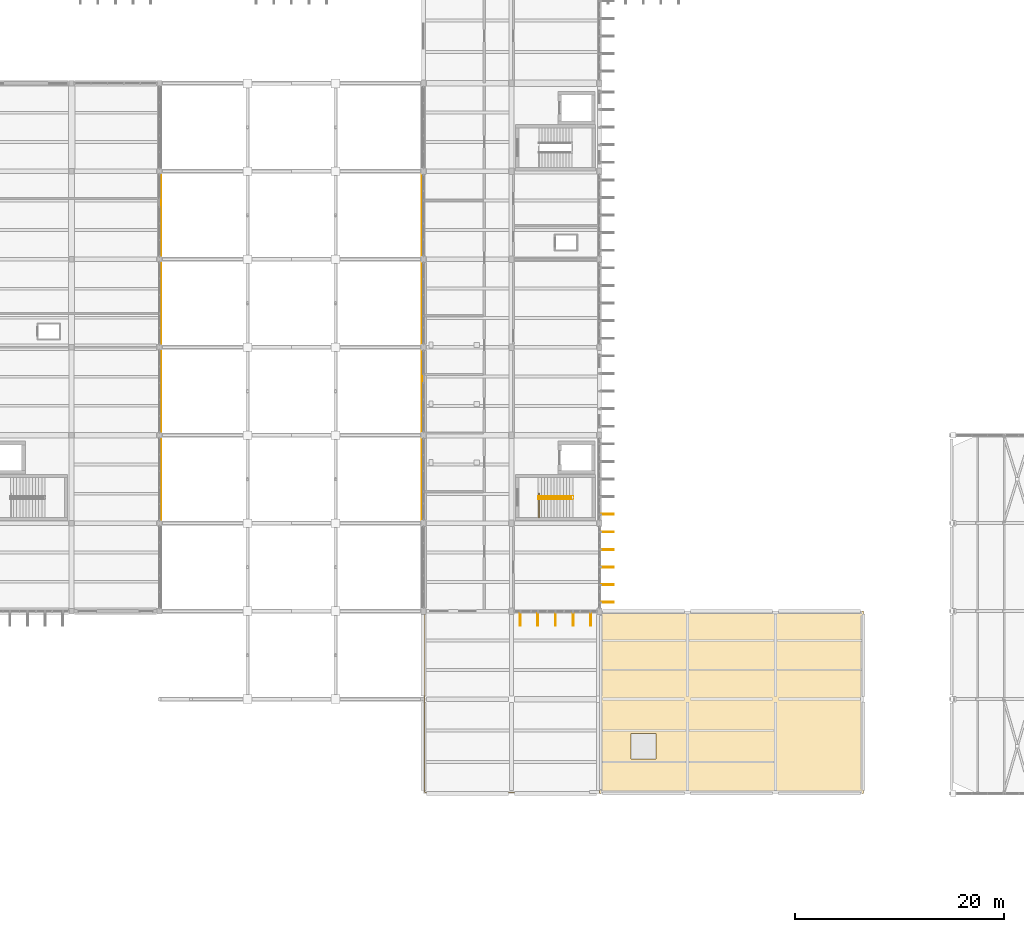
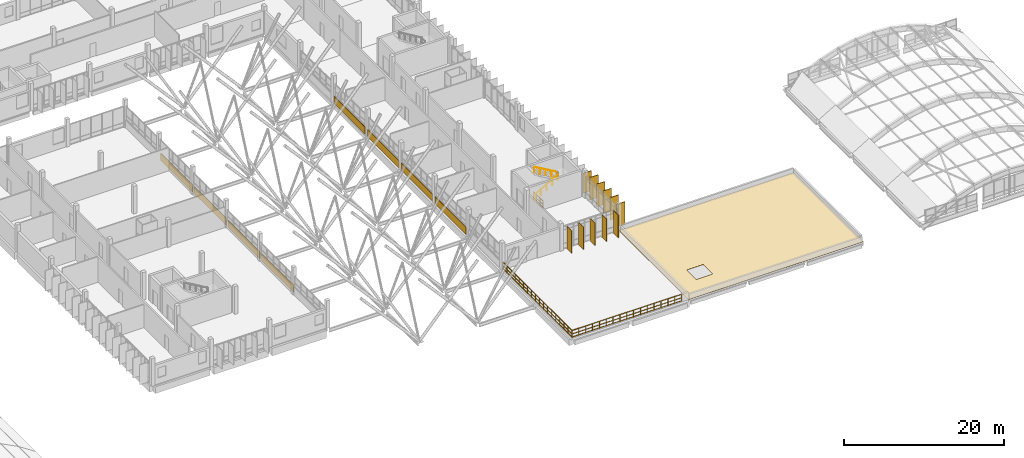
# One storey, part 104 of 107: 11 shading devices, 9 coverings, 4 railings.
"""IFC4 building model written with IfcOpenShell, lengths in metres."""

import ifcopenshell
import ifcopenshell.guid

model = None  # the IFC model being written
_history = None  # IfcOwnerHistory: only IFC2X3 demands one
_inside = {}  # id of a spatial element -> (the spatial element, [elements in it])
_under = {}  # id of a project, library or spatial element -> (it, [spatial elements below it])
_declared = {}  # id of a project -> (the project, [libraries it declares])
_typed = {}  # id of a type object -> (the type object, [elements of that type])
_made_of = {}  # id of a material, layer set ... -> (it, [elements and type objects made of it])


def new_model(schema):
    """Start an empty IFC model of exactly this schema.

    Asked for "IFC4X3", IfcOpenShell would pick the latest addendum, in which some entities
    have other attributes; the version numbers below select the first issue.
    IFC2X3 requires an IfcOwnerHistory on every rooted entity: one is made here for all.
    """
    global model, _history
    if schema == "IFC4X3":
        model = ifcopenshell.file(schema_version=(4, 3, 0, 0))
    else:
        model = ifcopenshell.file(schema=schema)
    _inside.clear()
    _under.clear()
    _declared.clear()
    _typed.clear()
    _made_of.clear()
    _history = None
    if model.schema == "IFC2X3":
        org = make("IfcOrganization", Name="unknown")
        user = make(
            "IfcPersonAndOrganization",
            ThePerson=make("IfcPerson", FamilyName="unknown"),
            TheOrganization=org,
        )
        app = make(
            "IfcApplication",
            ApplicationDeveloper=org,
            Version="unknown",
            ApplicationFullName="unknown",
            ApplicationIdentifier="unknown",
        )
        _history = make(
            "IfcOwnerHistory",
            OwningUser=user,
            OwningApplication=app,
            ChangeAction="ADDED",
            CreationDate=0,
        )
    return model


def make(cls, **values):
    """One entity of the class cls with the attributes given. An attribute that is None is left unset."""
    return model.create_entity(
        cls, **{name: value for name, value in values.items() if value is not None}
    )


def rooted(cls, **values):
    """An entity with a GlobalId (a new one), such as an element, a storey or a relation."""
    return make(cls, GlobalId=ifcopenshell.guid.new(), OwnerHistory=_history, **values)


def si_unit(unit_type, name, prefix=None):
    """IfcSIUnit, for example si_unit("LENGTHUNIT", "METRE", prefix="MILLI")."""
    return make("IfcSIUnit", UnitType=unit_type, Prefix=prefix, Name=name)


def assignment(units):
    """IfcUnitAssignment: the units of a project."""
    return None if units is None else make("IfcUnitAssignment", Units=units)


def point(xyz):
    """IfcCartesianPoint."""
    return None if xyz is None else make("IfcCartesianPoint", Coordinates=xyz)


def direction(xyz):
    """IfcDirection."""
    return None if xyz is None else make("IfcDirection", DirectionRatios=xyz)


def frame(location, z_axis=None, x_axis=None):
    """IfcAxis2Placement3D, a coordinate frame: its origin and axes. An axis left out is left unset."""
    return make(
        "IfcAxis2Placement3D",
        Location=point(location),
        Axis=direction(z_axis),
        RefDirection=direction(x_axis),
    )


def frame_2d(location, x_axis=None):
    """IfcAxis2Placement2D, a coordinate frame in the plane: its origin and x axis."""
    return make(
        "IfcAxis2Placement2D", Location=point(location), RefDirection=direction(x_axis)
    )


def origin():
    """The frame at (0, 0, 0) with its axes left unset."""
    return frame((0.0, 0.0, 0.0))


def origin_2d():
    """The frame at (0, 0) in the plane with its x axis left unset."""
    return frame_2d((0.0, 0.0))


def place(relative_to, where):
    """IfcLocalPlacement: puts the frame where relative to a parent placement (None: the world)."""
    return make(
        "IfcLocalPlacement", PlacementRelTo=relative_to, RelativePlacement=where
    )


def context(
    kind, dimensions, precision=None, world=None, true_north=None, identifier=None
):
    """IfcGeometricRepresentationContext, for example the 3D "Model" context."""
    return make(
        "IfcGeometricRepresentationContext",
        ContextIdentifier=identifier,
        ContextType=kind,
        CoordinateSpaceDimension=dimensions,
        Precision=precision,
        WorldCoordinateSystem=world,
        TrueNorth=true_north,
    )


def subcontext(parent, identifier, kind, view, scale=None):
    """IfcGeometricRepresentationSubContext, for example "Body" below "Model"."""
    return make(
        "IfcGeometricRepresentationSubContext",
        ContextIdentifier=identifier,
        ContextType=kind,
        ParentContext=parent,
        TargetScale=scale,
        TargetView=view,
    )


def project(units=None, contexts=None):
    """IfcProject with its units and contexts."""
    return rooted(
        "IfcProject",
        Name="project",
        RepresentationContexts=contexts,
        UnitsInContext=assignment(units),
    )


def spatial(cls, under=None, at=None, **own):
    """A site, building, storey or space (cls), placed at a placement, below another one or the project."""
    s = rooted(cls, ObjectPlacement=at, **own)
    if under is not None:
        _under.setdefault(under.id(), (under, []))[1].append(s)
    return s


def polyline(points):
    """IfcPolyline through the points."""
    return make("IfcPolyline", Points=[point(p) for p in points])


def profile(cls, at=None, kind="AREA", **sizes):
    """A parametric profile (cls). Its sizes go by their IFC names, for example OverallWidth=200.0."""
    return make(cls, ProfileType=kind, Position=at, **sizes)


def rectangle(**sizes):
    """IfcRectangleProfileDef."""
    return profile("IfcRectangleProfileDef", **sizes)


def circle(**sizes):
    """IfcCircleProfileDef."""
    return profile("IfcCircleProfileDef", **sizes)


def outline(outer, holes=None, kind="AREA"):
    """IfcArbitraryClosedProfileDef: a profile drawn as a closed curve; with holes, ...WithVoids."""
    if holes is None:
        return make("IfcArbitraryClosedProfileDef", ProfileType=kind, OuterCurve=outer)
    return make(
        "IfcArbitraryProfileDefWithVoids",
        ProfileType=kind,
        OuterCurve=outer,
        InnerCurves=holes,
    )


def extrude(swept, where, along, depth):
    """IfcExtrudedAreaSolid: the profile swept, set in the frame where, extruded along a direction by depth."""
    return make(
        "IfcExtrudedAreaSolid",
        SweptArea=swept,
        Position=where,
        ExtrudedDirection=direction(along),
        Depth=depth,
    )


def shape(context_of_items, identifier, shape_type, items):
    """IfcShapeRepresentation: the items that make up one representation, for example the "Body"."""
    return make(
        "IfcShapeRepresentation",
        ContextOfItems=context_of_items,
        RepresentationIdentifier=identifier,
        RepresentationType=shape_type,
        Items=items,
    )


def material(Name=None, Category=None):
    """IfcMaterial."""
    return make("IfcMaterial", Name=Name, Category=Category)


def layer(
    of_material, thickness, ventilated=None, Name=None, Category=None, Priority=None
):
    """IfcMaterialLayer: one layer of a wall or slab, of a material (None: an air gap)."""
    return make(
        "IfcMaterialLayer",
        Material=of_material,
        LayerThickness=thickness,
        IsVentilated=ventilated,
        Name=Name,
        Category=Category,
        Priority=Priority,
    )


def layer_set(layers, Name=None):
    """IfcMaterialLayerSet."""
    return make("IfcMaterialLayerSet", MaterialLayers=layers, LayerSetName=Name)


def material_profile(
    of_material, cross_section, Name=None, Category=None, Priority=None
):
    """IfcMaterialProfile: a cross section and its material."""
    return make(
        "IfcMaterialProfile",
        Name=Name,
        Material=of_material,
        Profile=cross_section,
        Priority=Priority,
        Category=Category,
    )


def profile_set(profiles, Name=None, composite=None):
    """IfcMaterialProfileSet."""
    return make(
        "IfcMaterialProfileSet",
        Name=Name,
        MaterialProfiles=profiles,
        CompositeProfile=composite,
    )


def made_of(thing, what):
    """Note that an element or type object is made of a material, layer set ...; save() writes the relation."""
    if what is not None:
        _made_of.setdefault(what.id(), (what, []))[1].append(thing)
    return thing


def type_object(cls, material=None, **own):
    """A type object (cls), such as IfcWallType, which elements share."""
    return made_of(rooted(cls, **own), material)


def element(
    cls,
    number,
    at=None,
    inside=None,
    cuts=None,
    type_object=None,
    material=None,
    context=None,
    identifier="Body",
    shape_type=None,
    held_by="IfcProductDefinitionShape",
    body=None,
    shapes=None,
    **own,
):
    """One element of the class cls, such as IfcWall. Its Tag is "e" and its number.

    at: its placement. inside: the storey or other place that contains it. cuts: it is an
    opening in that element (IfcRelVoidsElement). A single representation is given by context,
    identifier, shape_type and body (its items); several are given by shapes. held_by: the class
    of the entity that holds the representations. save() writes the other relations.
    """
    e = rooted(cls, Tag="e%d" % number, ObjectPlacement=at, **own)
    if body is not None:
        shapes = [shape(context, identifier, shape_type, body)]
    if shapes is not None:
        e.Representation = make(held_by, Representations=shapes)
    if inside is not None:
        _inside.setdefault(inside.id(), (inside, []))[1].append(e)
    if cuts is not None:
        rooted(
            "IfcRelVoidsElement", RelatingBuildingElement=cuts, RelatedOpeningElement=e
        )
    if type_object is not None:
        _typed.setdefault(type_object.id(), (type_object, []))[1].append(e)
    return made_of(e, material)


def aggregate(whole, parts):
    """IfcRelAggregates: a whole, such as a stair, and the parts it consists of."""
    return rooted("IfcRelAggregates", RelatingObject=whole, RelatedObjects=parts)


def save(model, path):
    """Write the relations noted so far, then the file.

    IfcRelAggregates (storeys below a building ...), IfcRelContainedInSpatialStructure (elements
    in a storey), IfcRelDefinesByType, IfcRelAssociatesMaterial and IfcRelDeclares: one each for
    every whole, place, type object, material and project.
    """
    for whole, parts in _under.values():
        aggregate(whole, parts)
    for where, things in _inside.values():
        rooted(
            "IfcRelContainedInSpatialStructure",
            RelatedElements=things,
            RelatingStructure=where,
        )
    for kind, things in _typed.values():
        rooted("IfcRelDefinesByType", RelatedObjects=things, RelatingType=kind)
    for what, things in _made_of.values():
        rooted("IfcRelAssociatesMaterial", RelatedObjects=things, RelatingMaterial=what)
    for by, libraries in _declared.values():
        rooted("IfcRelDeclares", RelatingContext=by, RelatedDefinitions=libraries)
    model.write(path)


model = new_model("IFC4")

# Units and contexts
model_context = context("Model", 3, precision=1e-05, world=origin(), true_north=direction((0.0, 1.0)))
body_context = subcontext(model_context, "Body", "Model", "MODEL_VIEW")
ifc_project = project(units=[si_unit("LENGTHUNIT", "METRE"), si_unit("AREAUNIT", "SQUARE_METRE"), si_unit("VOLUMEUNIT", "CUBIC_METRE"), si_unit("PLANEANGLEUNIT", "RADIAN"), si_unit("MASSUNIT", "GRAM", prefix="KILO")], contexts=[model_context])

# Site, building, storey
site_placement = place(None, origin())
site = spatial("IfcSite", under=ifc_project, at=site_placement, CompositionType="ELEMENT")
building_placement = place(site_placement, origin())
building = spatial("IfcBuilding", under=site, at=building_placement, Name="Vireocrest Preparatory School", CompositionType="ELEMENT")
storey_placement = place(building_placement, frame((0.0, 0.0, 13.199951171875)))
storey = spatial("IfcBuildingStorey", under=building, at=storey_placement, Name="L03", CompositionType="ELEMENT", Elevation=13.199951171875)

# Railings
ifc_material_1 = material(Name="Brushed stainless steel AISI 316", Category="steel")
railing_type_1 = type_object("IfcRailingType", Name="Post-and-Rail Guard Balustrade 1120", PredefinedType="BALUSTRADE", material=ifc_material_1)
railing_1_placement = place(storey_placement, frame((92.47998046875, 35.320068359375, 0.0)))
element("IfcRailing", 1, at=railing_1_placement, inside=storey, type_object=railing_type_1, Name="Terrace and Deck Guard Balustrade GR1 L03 SCI_L03_TERR", PredefinedType="BALUSTRADE", context=body_context, shape_type="SweptSolid", body=[
    extrude(circle(Radius=0.02392578125, at=origin_2d()), frame((0.0, 0.0, 1.09619140625), z_axis=(0.0, -1.0, 0.0), x_axis=(1.0, 0.0, 0.0)), (0.0, 0.0, 1.0), 17.190185546875),
    extrude(circle(Radius=0.01806640625, at=origin_2d()), frame((0.0, 0.0, 0.56005859375), z_axis=(0.0, -1.0, 0.0), x_axis=(1.0, 0.0, 0.0)), (0.0, 0.0, 1.0), 17.190185546875),
    extrude(circle(Radius=0.01806640625, at=origin_2d()), frame((0.0, 0.0, 0.10009765625), z_axis=(0.0, -1.0, 0.0), x_axis=(1.0, 0.0, 0.0)), (0.0, 0.0, 1.0), 17.190185546875),
    extrude(circle(Radius=0.02392578125, at=origin_2d()), frame((0.0, -17.190185546875, 1.09619140625), z_axis=(1.0, 0.0, 0.0), x_axis=(0.0, 1.0, 0.0)), (0.0, 0.0, 1.0), 15.7900390625),
    extrude(circle(Radius=0.01806640625, at=origin_2d()), frame((0.0, -17.190185546875, 0.56005859375), z_axis=(1.0, 0.0, 0.0), x_axis=(0.0, 1.0, 0.0)), (0.0, 0.0, 1.0), 15.7900390625),
    extrude(circle(Radius=0.01806640625, at=origin_2d()), frame((0.0, -17.190185546875, 0.10009765625), z_axis=(1.0, 0.0, 0.0), x_axis=(0.0, 1.0, 0.0)), (0.0, 0.0, 1.0), 15.7900390625),
    extrude(circle(Radius=0.02099609375, at=origin_2d()), origin(), (0.0, 0.0, 1.0), 1.072021484375),
    extrude(circle(Radius=0.02099609375, at=origin_2d()), frame((0.0, -1.01123046875, 0.0)), (0.0, 0.0, 1.0), 1.072021484375),
    extrude(circle(Radius=0.02099609375, at=origin_2d()), frame((0.0, -2.0224609375, 0.0)), (0.0, 0.0, 1.0), 1.072021484375),
    extrude(circle(Radius=0.02099609375, at=origin_2d()), frame((0.0, -3.033447265625, 0.0)), (0.0, 0.0, 1.0), 1.072021484375),
    extrude(circle(Radius=0.02099609375, at=origin_2d()), frame((0.0, -4.044677734375, 0.0)), (0.0, 0.0, 1.0), 1.072021484375),
    extrude(circle(Radius=0.02099609375, at=origin_2d()), frame((0.0, -5.055908203125, 0.0)), (0.0, 0.0, 1.0), 1.072021484375),
    extrude(circle(Radius=0.02099609375, at=origin_2d()), frame((0.0, -6.067138671875, 0.0)), (0.0, 0.0, 1.0), 1.072021484375),
    extrude(circle(Radius=0.02099609375, at=origin_2d()), frame((0.0, -7.078369140625, 0.0)), (0.0, 0.0, 1.0), 1.072021484375),
    extrude(circle(Radius=0.02099609375, at=origin_2d()), frame((0.0, -8.089599609375, 0.0)), (0.0, 0.0, 1.0), 1.072021484375),
    extrude(circle(Radius=0.02099609375, at=origin_2d()), frame((0.0, -9.1005859375, 0.0)), (0.0, 0.0, 1.0), 1.072021484375),
    extrude(circle(Radius=0.02099609375, at=origin_2d()), frame((0.0, -10.11181640625, 0.0)), (0.0, 0.0, 1.0), 1.072021484375),
    extrude(circle(Radius=0.02099609375, at=origin_2d()), frame((0.0, -11.123046875, 0.0)), (0.0, 0.0, 1.0), 1.072021484375),
    extrude(circle(Radius=0.02099609375, at=origin_2d()), frame((0.0, -12.13427734375, 0.0)), (0.0, 0.0, 1.0), 1.072021484375),
    extrude(circle(Radius=0.02099609375, at=origin_2d()), frame((0.0, -13.1455078125, 0.0)), (0.0, 0.0, 1.0), 1.072021484375),
    extrude(circle(Radius=0.02099609375, at=origin_2d()), frame((0.0, -14.15673828125, 0.0)), (0.0, 0.0, 1.0), 1.072021484375),
    extrude(circle(Radius=0.02099609375, at=origin_2d()), frame((0.0, -15.167724609375, 0.0)), (0.0, 0.0, 1.0), 1.072021484375),
    extrude(circle(Radius=0.02099609375, at=origin_2d()), frame((0.0, -16.178955078125, 0.0)), (0.0, 0.0, 1.0), 1.072021484375),
    extrude(circle(Radius=0.02099609375, at=origin_2d()), frame((0.0, -17.190185546875, 0.0)), (0.0, 0.0, 1.0), 1.072021484375),
    extrude(circle(Radius=0.02099609375, at=origin_2d()), frame((0.98681640625, -17.190185546875, 0.0)), (0.0, 0.0, 1.0), 1.072021484375),
    extrude(circle(Radius=0.02099609375, at=origin_2d()), frame((1.9736328125, -17.190185546875, 0.0)), (0.0, 0.0, 1.0), 1.072021484375),
    extrude(circle(Radius=0.02099609375, at=origin_2d()), frame((2.960693359375, -17.190185546875, 0.0)), (0.0, 0.0, 1.0), 1.072021484375),
    extrude(circle(Radius=0.02099609375, at=origin_2d()), frame((3.947509765625, -17.190185546875, 0.0)), (0.0, 0.0, 1.0), 1.072021484375),
    extrude(circle(Radius=0.02099609375, at=origin_2d()), frame((4.934326171875, -17.190185546875, 0.0)), (0.0, 0.0, 1.0), 1.072021484375),
    extrude(circle(Radius=0.02099609375, at=origin_2d()), frame((5.92138671875, -17.190185546875, 0.0)), (0.0, 0.0, 1.0), 1.072021484375),
    extrude(circle(Radius=0.02099609375, at=origin_2d()), frame((6.908203125, -17.190185546875, 0.0)), (0.0, 0.0, 1.0), 1.072021484375),
    extrude(circle(Radius=0.02099609375, at=origin_2d()), frame((7.89501953125, -17.190185546875, 0.0)), (0.0, 0.0, 1.0), 1.072021484375),
    extrude(circle(Radius=0.02099609375, at=origin_2d()), frame((8.8818359375, -17.190185546875, 0.0)), (0.0, 0.0, 1.0), 1.072021484375),
    extrude(circle(Radius=0.02099609375, at=origin_2d()), frame((9.86865234375, -17.190185546875, 0.0)), (0.0, 0.0, 1.0), 1.072021484375),
    extrude(circle(Radius=0.02099609375, at=origin_2d()), frame((10.855712890625, -17.190185546875, 0.0)), (0.0, 0.0, 1.0), 1.072021484375),
    extrude(circle(Radius=0.02099609375, at=origin_2d()), frame((11.842529296875, -17.190185546875, 0.0)), (0.0, 0.0, 1.0), 1.072021484375),
    extrude(circle(Radius=0.02099609375, at=origin_2d()), frame((12.829345703125, -17.190185546875, 0.0)), (0.0, 0.0, 1.0), 1.072021484375),
    extrude(circle(Radius=0.02099609375, at=origin_2d()), frame((13.81640625, -17.190185546875, 0.0)), (0.0, 0.0, 1.0), 1.072021484375),
    extrude(circle(Radius=0.02099609375, at=origin_2d()), frame((14.80322265625, -17.190185546875, 0.0)), (0.0, 0.0, 1.0), 1.072021484375),
    extrude(circle(Radius=0.02099609375, at=origin_2d()), frame((15.7900390625, -17.190185546875, 0.0)), (0.0, 0.0, 1.0), 1.072021484375),
])
railing_2_placement = place(storey_placement, frame((103.425048828125, 44.35009765625, 0.0)))
element("IfcRailing", 2, at=railing_2_placement, inside=storey, type_object=railing_type_1, Name="Arrival Landing Guard ST2-L02", PredefinedType="BALUSTRADE", context=body_context, shape_type="SweptSolid", body=[
    extrude(circle(Radius=0.02392578125, at=origin_2d()), frame((0.0, 0.0, 1.09619140625), z_axis=(0.0, 1.0, 0.0), x_axis=(-1.0, 0.0, 0.0)), (0.0, 0.0, 1.0), 2.27001953125),
    extrude(circle(Radius=0.01806640625, at=origin_2d()), frame((0.0, 0.0, 0.56005859375), z_axis=(0.0, 1.0, 0.0), x_axis=(-1.0, 0.0, 0.0)), (0.0, 0.0, 1.0), 2.27001953125),
    extrude(circle(Radius=0.01806640625, at=origin_2d()), frame((0.0, 0.0, 0.10009765625), z_axis=(0.0, 1.0, 0.0), x_axis=(-1.0, 0.0, 0.0)), (0.0, 0.0, 1.0), 2.27001953125),
    extrude(circle(Radius=0.02099609375, at=origin_2d()), origin(), (0.0, 0.0, 1.0), 1.072021484375),
    extrude(circle(Radius=0.02099609375, at=origin_2d()), frame((0.0, 0.756591796875, 0.0)), (0.0, 0.0, 1.0), 1.072021484375),
    extrude(circle(Radius=0.02099609375, at=origin_2d()), frame((0.0, 1.513427734375, 0.0)), (0.0, 0.0, 1.0), 1.072021484375),
    extrude(circle(Radius=0.02099609375, at=origin_2d()), frame((0.0, 2.27001953125, 0.0)), (0.0, 0.0, 1.0), 1.072021484375),
])
railing_type_2 = type_object("IfcRailingType", Name="Stair Pitch Handrail 900", PredefinedType="HANDRAIL", material=ifc_material_1)
railing_3_placement = place(storey_placement, frame((103.35009765625, 46.1298828125, 0.175048828125)))
element("IfcRailing", 3, at=railing_3_placement, inside=storey, type_object=railing_type_2, Name="Stair Handrail ST2-L03-HR1", PredefinedType="HANDRAIL", context=body_context, shape_type="SweptSolid", body=[
    extrude(circle(Radius=0.02392578125, at=origin_2d()), frame((0.0, 0.0, 0.8759765625), z_axis=(0.863760357493, 0.0, 0.503902812876), x_axis=(0.0, 1.0, 0.0)), (0.0, 0.0, 1.0), 3.8203125),
    extrude(circle(Radius=0.02099609375, at=origin_2d()), origin(), (0.0, 0.0, 1.0), 0.851806640625),
    extrude(circle(Radius=0.02099609375, at=origin_2d()), frame((0.824951171875, 0.0, 0.481201171875)), (0.0, 0.0, 1.0), 0.851806640625),
    extrude(circle(Radius=0.02099609375, at=origin_2d()), frame((1.64990234375, 0.0, 0.96240234375)), (0.0, 0.0, 1.0), 0.851806640625),
    extrude(circle(Radius=0.02099609375, at=origin_2d()), frame((2.474853515625, 0.0, 1.44384765625)), (0.0, 0.0, 1.0), 0.851806640625),
    extrude(circle(Radius=0.02099609375, at=origin_2d()), frame((3.2998046875, 0.0, 1.925048828125)), (0.0, 0.0, 1.0), 0.851806640625),
])
railing_4_placement = place(storey_placement, frame((106.64990234375, 46.3701171875, 2.275146484375)))
element("IfcRailing", 4, at=railing_4_placement, inside=storey, type_object=railing_type_2, Name="Stair Handrail ST2-L03-HR2", PredefinedType="HANDRAIL", context=body_context, shape_type="SweptSolid", body=[
    extrude(circle(Radius=0.02392578125, at=origin_2d()), frame((0.0, 0.0, 0.8759765625), z_axis=(-0.863788172461, 0.0, 0.503855131081), x_axis=(0.0, -1.0, 0.0)), (0.0, 0.0, 1.0), 3.820068359375),
    extrude(circle(Radius=0.02099609375, at=origin_2d()), origin(), (0.0, 0.0, 1.0), 0.851806640625),
    extrude(circle(Radius=0.02099609375, at=origin_2d()), frame((-0.824951171875, 0.0, 0.481201171875)), (0.0, 0.0, 1.0), 0.851806640625),
    extrude(circle(Radius=0.02099609375, at=origin_2d()), frame((-1.64990234375, 0.0, 0.96240234375)), (0.0, 0.0, 1.0), 0.851806640625),
    extrude(circle(Radius=0.02099609375, at=origin_2d()), frame((-2.474853515625, 0.0, 1.443603515625)), (0.0, 0.0, 1.0), 0.851806640625),
    extrude(circle(Radius=0.02099609375, at=origin_2d()), frame((-3.2998046875, 0.0, 1.9248046875)), (0.0, 0.0, 1.0), 0.851806640625),
])

# Covering
ifc_material_2 = material(Name="TPO single-ply insulated roofing membrane")
ifc_layer_1 = layer(ifc_material_2, 0.030029296875)
ifc_layer_set_1 = layer_set([ifc_layer_1], Name="TPO single-ply insulated roofing membrane")
covering_type_1 = type_object("IfcCoveringType", Name="TPO Insulated Single-Ply Roof Membrane", PredefinedType="ROOFING", material=ifc_layer_set_1)
covering_placement = place(storey_placement, origin())
element("IfcCovering", 5, at=covering_placement, inside=storey, type_object=covering_type_1, Name="Roof Membrane L03_EAST_STUDIO_ROOF", PredefinedType="ROOFING", context=body_context, shape_type="SweptSolid", body=[
    extrude(outline(polyline([(109.199951171875, 18.0), (134.39990234375, 18.0), (134.39990234375, 35.39990234375), (109.199951171875, 35.39990234375), (109.199951171875, 18.0)]), holes=[polyline([(112.199951171875, 21.300048828125), (114.60009765625, 21.300048828125), (114.60009765625, 23.699951171875), (112.199951171875, 23.699951171875), (112.199951171875, 21.300048828125)])]), origin(), (0.0, 0.0, 1.0), 0.030029296875),
])

# Shading devices
ifc_material_3 = material(Name="Warm anodised aluminium EN AW-6063-T6", Category="aluminium")
ifc_material_profile = material_profile(ifc_material_3, rectangle(XDim=0.080078125, YDim=1.199951171875, at=origin_2d()), Name="FIN 80x1200")
ifc_profile_set = profile_set([ifc_material_profile], Name="Warm anodised aluminium EN AW-6063-T6")
shading_device_type = type_object("IfcShadingDeviceType", Name="Vertical Anodised Aluminium Solar Fin 1200", PredefinedType="USERDEFINED", material=ifc_profile_set)
for number, where, z_axis, x_axis, name in (
    (6, (101.639892578125, 34.6201171875, 0.02001953125), (0.0, 0.0, 1.0), (-1.0, 0.0, 0.0), "Vertical Solar Fin FN1 L03-45-1"),
    (7, (103.320068359375, 34.6201171875, 0.02001953125), (0.0, 0.0, 1.0), (-1.0, 0.0, 0.0), "Vertical Solar Fin FN1 L03-45-2"),
    (8, (105.0, 34.6201171875, 0.02001953125), (0.0, 0.0, 1.0), (-1.0, 0.0, 0.0), "Vertical Solar Fin FN1 L03-45-3"),
    (9, (106.679931640625, 34.6201171875, 0.02001953125), (0.0, 0.0, 1.0), (-1.0, 0.0, 0.0), "Vertical Solar Fin FN1 L03-45-4"),
    (10, (108.360107421875, 34.6201171875, 0.02001953125), (0.0, 0.0, 1.0), (-1.0, 0.0, 0.0), "Vertical Solar Fin FN1 L03-45-5"),
    (11, (109.97998046875, 36.239990234375, 0.02001953125), (0.0, 0.0, 1.0), (0.0, -1.0, 0.0), "Vertical Solar Fin FN1 L03-46-1"),
    (12, (109.97998046875, 37.919921875, 0.02001953125), (0.0, 0.0, 1.0), (0.0, -1.0, 0.0), "Vertical Solar Fin FN1 L03-46-2"),
    (13, (109.97998046875, 39.60009765625, 0.02001953125), (0.0, 0.0, 1.0), (0.0, -1.0, 0.0), "Vertical Solar Fin FN1 L03-46-3"),
    (14, (109.97998046875, 41.280029296875, 0.02001953125), (0.0, 0.0, 1.0), (0.0, -1.0, 0.0), "Vertical Solar Fin FN1 L03-46-4"),
    (15, (109.97998046875, 42.9599609375, 0.02001953125), (0.0, 0.0, 1.0), (0.0, -1.0, 0.0), "Vertical Solar Fin FN1 L03-46-5"),
):
    element("IfcShadingDevice", number, at=place(storey_placement, frame(where, z_axis=z_axis, x_axis=x_axis)), inside=storey, type_object=shading_device_type, Name=name, ObjectType="FIN", PredefinedType="USERDEFINED", context=body_context, shape_type="SweptSolid", body=[
        extrude(rectangle(XDim=0.080078125, YDim=1.199951171875, at=origin_2d()), origin(), (0.0, 0.0, 1.0), 3.419921875),
    ])
shading_device_placement = place(storey_placement, frame((109.97998046875, 44.639892578125, 0.02001953125), z_axis=(0.0, 0.0, 1.0), x_axis=(0.0, -1.0, 0.0)))
element("IfcShadingDevice", 16, at=shading_device_placement, inside=storey, type_object=shading_device_type, Name="Vertical Solar Fin FN1 L03-47-1", ObjectType="FIN", PredefinedType="USERDEFINED", context=body_context, shape_type="SweptSolid", body=[
    extrude(rectangle(XDim=0.080078125, YDim=1.199951171875, at=origin_2d()), origin(), (0.0, 0.0, 1.0), 3.030029296875),
])

# Coverings
ifc_material_4 = material(Name="Painted white aluminium cladding EN AW-6063-T6", Category="aluminium")
ifc_layer_2 = layer(ifc_material_4, 0.044921875)
ifc_layer_set_2 = layer_set([ifc_layer_2], Name="Painted white aluminium cladding EN AW-6063-T6")
covering_type_2 = type_object("IfcCoveringType", Name="White High-Tech Horizontal Spandrel Cladding Band", PredefinedType="CLADDING", material=ifc_layer_set_2)
for number, where, z_axis, x_axis, name in (
    (17, (67.3349609375, 48.0, 0.030029296875), (0.0, 0.0, 1.0), (1.0, 0.0, 0.0), "White Court Spandrel Band L03-0311"),
    (18, (67.3349609375, 56.39990234375, 0.030029296875), (0.0, 0.0, 1.0), (1.0, 0.0, 0.0), "White Court Spandrel Band L03-0312"),
    (19, (67.3349609375, 64.800048828125, 0.030029296875), (0.0, 0.0, 1.0), (1.0, 0.0, 0.0), "White Court Spandrel Band L03-0313"),
    (20, (67.3349609375, 73.199951171875, 0.030029296875), (0.0, 0.0, 1.0), (1.0, 0.0, 0.0), "White Court Spandrel Band L03-0314"),
):
    element("IfcCovering", number, at=place(storey_placement, frame(where, z_axis=z_axis, x_axis=x_axis)), inside=storey, type_object=covering_type_2, Name=name, PredefinedType="CLADDING", context=body_context, shape_type="SweptSolid", body=[
        extrude(rectangle(XDim=0.0849609375, YDim=7.949951171875, at=origin_2d()), origin(), (0.0, 0.0, 1.0), 1.10009765625),
    ])
for number, where, z_axis, x_axis, name in (
    (21, (92.264892578125, 48.0, 0.030029296875), (0.0, 0.0, 1.0), (1.0, 0.0, 0.0), "White Court Spandrel Band L03-0342"),
    (22, (92.264892578125, 56.39990234375, 0.030029296875), (0.0, 0.0, 1.0), (1.0, 0.0, 0.0), "White Court Spandrel Band L03-0343"),
    (23, (92.264892578125, 64.800048828125, 0.030029296875), (0.0, 0.0, 1.0), (1.0, 0.0, 0.0), "White Court Spandrel Band L03-0344"),
    (24, (92.264892578125, 73.199951171875, 0.030029296875), (0.0, 0.0, 1.0), (1.0, 0.0, 0.0), "White Court Spandrel Band L03-0345"),
):
    element("IfcCovering", number, at=place(storey_placement, frame(where, z_axis=z_axis, x_axis=x_axis)), inside=storey, type_object=covering_type_2, Name=name, PredefinedType="CLADDING", context=body_context, shape_type="SweptSolid", body=[
        extrude(rectangle(XDim=0.0849609375, YDim=7.85009765625, at=origin_2d()), origin(), (0.0, 0.0, 1.0), 1.10009765625),
    ])

save(model, "model.ifc")
